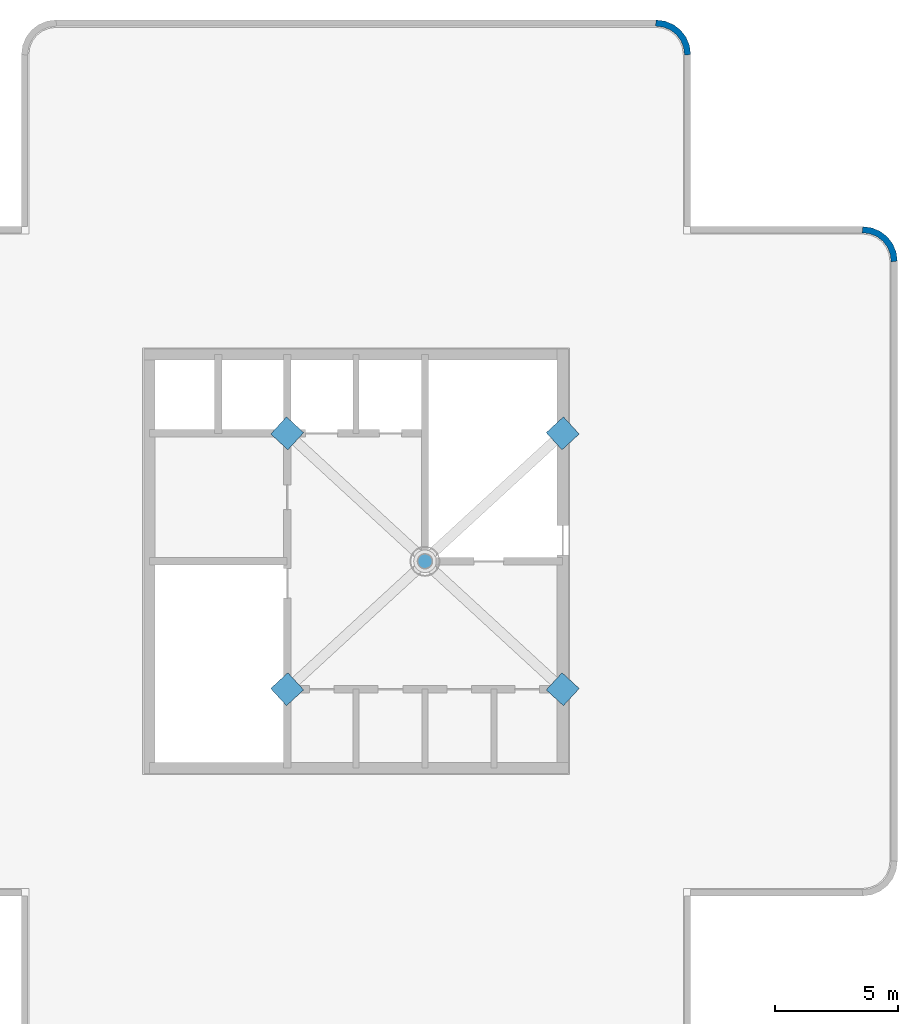
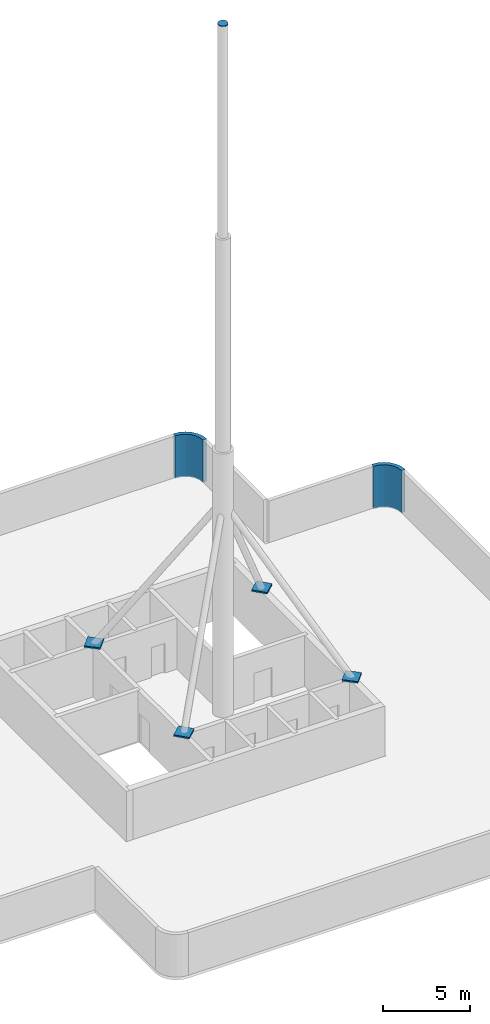
# One storey, part 3 of 4: 9 discrete accessories, 2 walls.
"""IFC4 building model written with IfcOpenShell, lengths in metres."""

from ifc_helpers import new_model, si_unit, direction, frame, origin, origin_2d, place, context, subcontext, project, spatial, polyline, rectangle, circle, outline, extrude, material, layer, layer_set, material_profile, profile_set, type_object, element, save


model = new_model("IFC4")

# Units and contexts
model_context = context("Model", 3, precision=1e-05, world=origin(), true_north=direction((0.0, 1.0)))
body_context = subcontext(model_context, "Body", "Model", "MODEL_VIEW")
ifc_project = project(units=[si_unit("LENGTHUNIT", "METRE"), si_unit("AREAUNIT", "SQUARE_METRE"), si_unit("VOLUMEUNIT", "CUBIC_METRE"), si_unit("PLANEANGLEUNIT", "RADIAN"), si_unit("MASSUNIT", "GRAM", prefix="KILO")], contexts=[model_context])

# Site, building, storey
site_placement = place(None, origin())
site = spatial("IfcSite", under=ifc_project, at=site_placement, CompositionType="ELEMENT")
building_placement = place(site_placement, origin())
building = spatial("IfcBuilding", under=site, at=building_placement, Name="Torre Alcanfor", CompositionType="ELEMENT")
storey_placement = place(building_placement, frame((0.0, 0.0, 309.89990234375)))
storey = spatial("IfcBuildingStorey", under=building, at=storey_placement, Name="RF", CompositionType="ELEMENT", Elevation=309.89990234375)

# Walls
ifc_material_1 = material(Name="Limestone cladding", Category="masonry")
ifc_layer_1 = layer(ifc_material_1, 0.0400390625, Name="Facing")
ifc_material_2 = material(Name="Ventilated air cavity")
ifc_layer_2 = layer(ifc_material_2, 0.02001953125, ventilated=True, Name="Ventilated joint")
ifc_material_3 = material(Name="Concrete f'c 35 MPa", Category="concrete")
ifc_layer_3 = layer(ifc_material_3, 0.18994140625, Name="Backing")
ifc_layer_set_1 = layer_set([ifc_layer_1, ifc_layer_2, ifc_layer_3], Name="Parapet stone-clad 250")
wall_type = type_object("IfcWallType", Name="Parapet stone-clad 250", PredefinedType="PARAPET", material=ifc_layer_set_1)
wall_1_placement = place(storey_placement, origin())
element("IfcWall", 1, at=wall_1_placement, inside=storey, type_object=wall_type, Name="Roof parapet corner 18", PredefinedType="PARAPET", context=body_context, shape_type="SweptSolid", body=[
    extrude(outline(polyline([(50.0, 43.0), (49.967041015625, 42.75), (49.983642578125, 42.75), (50.297119140625, 42.708740234375), (50.573974609375, 42.593994140625), (50.8115234375, 42.41162109375), (50.993896484375, 42.173828125), (51.108642578125, 41.89697265625), (51.14990234375, 41.58349609375), (51.14990234375, 41.567138671875), (51.39990234375, 41.60009765625), (51.352294921875, 41.96240234375), (51.21240234375, 42.300048828125), (50.989990234375, 42.58984375), (50.699951171875, 42.8125), (50.3623046875, 42.952392578125), (50.0, 43.0)])), origin(), (0.0, 0.0, 1.0), 3.0),
])
wall_2_placement = place(storey_placement, origin())
element("IfcWall", 2, at=wall_2_placement, inside=storey, type_object=wall_type, Name="Roof parapet corner 19", PredefinedType="PARAPET", context=body_context, shape_type="SweptSolid", body=[
    extrude(outline(polyline([(41.60009765625, 51.39990234375), (41.567138671875, 51.14990234375), (41.58349609375, 51.14990234375), (41.89697265625, 51.108642578125), (42.173828125, 50.993896484375), (42.41162109375, 50.8115234375), (42.593994140625, 50.573974609375), (42.708740234375, 50.297119140625), (42.75, 49.983642578125), (42.75, 49.967041015625), (43.0, 50.0), (42.952392578125, 50.3623046875), (42.8125, 50.699951171875), (42.58984375, 50.989990234375), (42.300048828125, 51.21240234375), (41.96240234375, 51.352294921875), (41.60009765625, 51.39990234375)])), origin(), (0.0, 0.0, 1.0), 3.0),
])

# Discrete accessories
ifc_material_4 = material(Name="Steel ASTM A572 Grade 50 plate", Category="steel")
ifc_layer_4 = layer(ifc_material_4, 0.02490234375)
ifc_layer_set_2 = layer_set([ifc_layer_4], Name="Spire brace base plate 950x950x25")
discrete_accessory_type_1 = type_object("IfcDiscreteAccessoryType", Name="Spire brace base plate 950x950x25", PredefinedType="ANCHORPLATE", material=ifc_layer_set_2)
for number, where, z_axis, x_axis, name in (
    (3, (26.60009765625, 24.199951171875, 3.690185546875), (0.0, 0.0, 1.0), (0.736049830469, 0.676927357304, 0.0), "Spire base brace 1 base plate"),
    (4, (37.800048828125, 24.199951171875, 3.690185546875), (0.0, 0.0, 1.0), (-0.736049830469, 0.676927357304, 0.0), "Spire base brace 2 base plate"),
    (5, (37.800048828125, 34.60009765625, 3.690185546875), (0.0, 0.0, 1.0), (-0.736049830469, -0.676927357304, 0.0), "Spire base brace 3 base plate"),
    (6, (26.60009765625, 34.60009765625, 3.690185546875), (0.0, 0.0, 1.0), (0.736049830469, -0.676927357304, 0.0), "Spire base brace 4 base plate"),
):
    element("IfcDiscreteAccessory", number, at=place(storey_placement, frame(where, z_axis=z_axis, x_axis=x_axis)), inside=storey, type_object=discrete_accessory_type_1, Name=name, PredefinedType="ANCHORPLATE", context=body_context, shape_type="SweptSolid", body=[
        extrude(rectangle(XDim=0.949951171875, YDim=0.949951171875, at=origin_2d()), origin(), (0.0, 0.0, 1.0), 0.02490234375),
    ])
ifc_material_5 = material(Name="Non-shrink cementitious grout", Category="concrete")
discrete_accessory_type_2 = type_object("IfcDiscreteAccessoryType", Name="Spire brace grout pedestal 950x950", PredefinedType="USERDEFINED", material=ifc_material_5)
for number, where, z_axis, x_axis, name in (
    (7, (26.60009765625, 24.199951171875, 3.60009765625), (0.0, 0.0, 1.0), (0.736049830469, 0.676927357304, 0.0), "Spire base brace 1 grout pedestal"),
    (8, (37.800048828125, 24.199951171875, 3.60009765625), (0.0, 0.0, 1.0), (-0.736049830469, 0.676927357304, 0.0), "Spire base brace 2 grout pedestal"),
    (9, (37.800048828125, 34.60009765625, 3.60009765625), (0.0, 0.0, 1.0), (-0.736049830469, -0.676927357304, 0.0), "Spire base brace 3 grout pedestal"),
    (10, (26.60009765625, 34.60009765625, 3.60009765625), (0.0, 0.0, 1.0), (0.736049830469, -0.676927357304, 0.0), "Spire base brace 4 grout pedestal"),
):
    element("IfcDiscreteAccessory", number, at=place(storey_placement, frame(where, z_axis=z_axis, x_axis=x_axis)), inside=storey, type_object=discrete_accessory_type_2, Name=name, ObjectType="GROUT PEDESTAL", PredefinedType="USERDEFINED", context=body_context, shape_type="SweptSolid", body=[
        extrude(rectangle(XDim=0.949951171875, YDim=0.949951171875, at=origin_2d()), origin(), (0.0, 0.0, 1.0), 0.090087890625),
    ])
ifc_material_6 = material(Name="Steel ASTM A572 Grade 50 plate", Category="steel")
ifc_material_profile = material_profile(ifc_material_6, circle(Radius=0.304931640625, at=origin_2d()), Name="Cap plate 610 dia x 50")
ifc_profile_set = profile_set([ifc_material_profile], Name="Steel ASTM A572 Grade 50 plate")
discrete_accessory_type_3 = type_object("IfcDiscreteAccessoryType", Name="Spire mast cap plate 610 dia x 50", PredefinedType="USERDEFINED", material=ifc_profile_set)
discrete_accessory_placement = place(storey_placement, frame((32.199951171875, 29.39990234375, 48.550048828125), z_axis=(0.0, 0.0, 1.0), x_axis=(1.0, 0.0, 0.0)))
element("IfcDiscreteAccessory", 11, at=discrete_accessory_placement, inside=storey, type_object=discrete_accessory_type_3, Name="Spire mast cap plate", ObjectType="SPIRE CAP PLATE", PredefinedType="USERDEFINED", context=body_context, shape_type="SweptSolid", body=[
    extrude(circle(Radius=0.304931640625, at=origin_2d()), origin(), (0.0, 0.0, 1.0), 0.050048828125),
])

save(model, "model.ifc")
